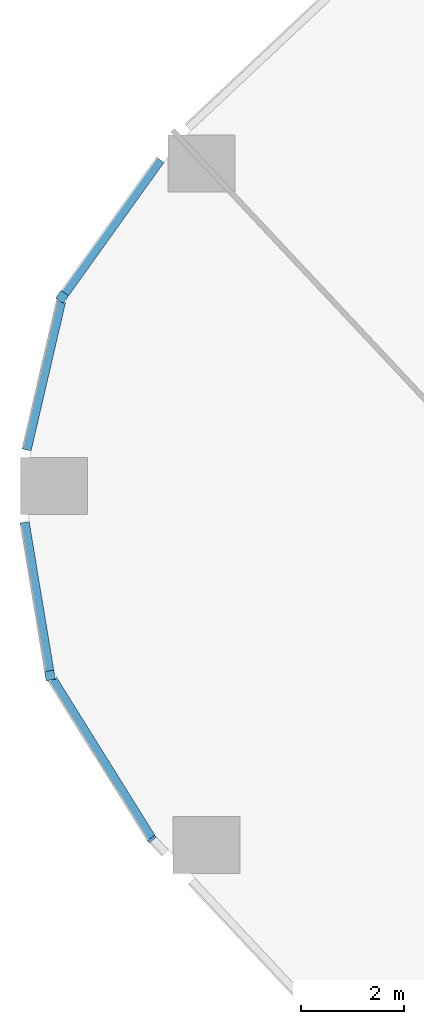
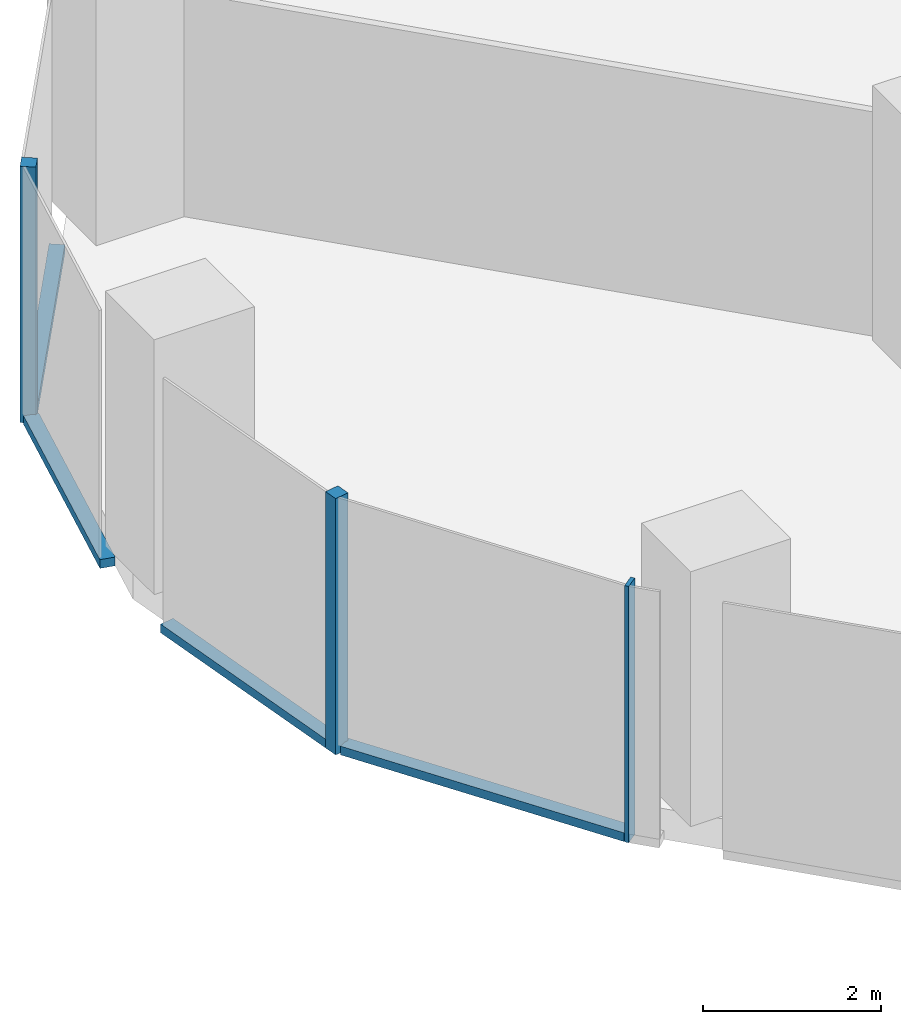
# One storey, part 3 of 33: 7 members, 4 elements without a shape of their own.
"""IFC4 building model written with IfcOpenShell, lengths in metres."""

from ifc_helpers import new_model, si_unit, direction, frame, origin, origin_2d, place, context, subcontext, project, spatial, rectangle, extrude, material, material_profile, profile_set, type_object, element, aggregate, save


model = new_model("IFC4")

# Units and contexts
model_context = context("Model", 3, precision=1e-05, world=origin(), true_north=direction((0.0, 1.0)))
body_context = subcontext(model_context, "Body", "Model", "MODEL_VIEW")
ifc_project = project(units=[si_unit("LENGTHUNIT", "METRE"), si_unit("AREAUNIT", "SQUARE_METRE"), si_unit("VOLUMEUNIT", "CUBIC_METRE"), si_unit("PLANEANGLEUNIT", "RADIAN"), si_unit("MASSUNIT", "GRAM", prefix="KILO")], contexts=[model_context])

# Site, building, storey
site_placement = place(None, origin())
site = spatial("IfcSite", under=ifc_project, at=site_placement, CompositionType="ELEMENT")
building_placement = place(site_placement, origin())
building = spatial("IfcBuilding", under=site, at=building_placement, Name="Orlundy Tower", CompositionType="ELEMENT")
storey_placement = place(building_placement, frame((0.0, 0.0, 51.300048828125)))
storey = spatial("IfcBuildingStorey", under=building, at=storey_placement, Name="L11", CompositionType="ELEMENT", Elevation=51.300048828125)

# Curtain wall, member
ifc_material_1 = material(Name="Aluminium bronze anodised", Category="aluminium")
curtain_wall_type = type_object("IfcCurtainWallType", Name="CW1 wall", PredefinedType="NOTDEFINED", material=ifc_material_1)
curtain_wall_1_placement = place(storey_placement, origin())
curtain_wall_1 = element("IfcCurtainWall", 1, at=curtain_wall_1_placement, inside=storey, type_object=curtain_wall_type, Name="CW1 run 025", PredefinedType="NOTDEFINED")
ifc_material_2 = material(Name="Aluminium bronze anodised", Category="aluminium")
ifc_material_profile_1 = material_profile(ifc_material_2, rectangle(XDim=0.179931640625, YDim=0.179931640625, at=origin_2d()), Name="CW1 corner post 180x180")
ifc_profile_set_1 = profile_set([ifc_material_profile_1], Name="Aluminium bronze anodised")
member_type_1 = type_object("IfcMemberType", Name="CW1 corner post 180x180", PredefinedType="MULLION", material=ifc_profile_set_1)
member_1_placement = place(storey_placement, frame((-53.35595703125, -30.617431640625, -0.420166015625), z_axis=(0.0, 0.0, 1.0), x_axis=(-0.986546608379, -0.163480241914, 0.0)))
member_1 = element("IfcMember", 2, at=member_1_placement, type_object=member_type_1, Name="CW1 mullion 66", PredefinedType="MULLION", context=body_context, shape_type="SweptSolid", body=[
    extrude(rectangle(XDim=0.179931640625, YDim=0.179931640625, at=origin_2d()), origin(), (0.0, 0.0, 1.0), 3.52001953125),
])

curtain_wall_2_placement = place(storey_placement, origin())
curtain_wall_2 = element("IfcCurtainWall", 3, at=curtain_wall_2_placement, inside=storey, type_object=curtain_wall_type, Name="CW1 run 027", PredefinedType="NOTDEFINED")
member_2_placement = place(storey_placement, frame((-53.12060546875, -23.279296875, -0.420166015625), z_axis=(0.0, 0.0, 1.0), x_axis=(-0.813204454711, 0.58197810512, 0.0)))
member_2 = element("IfcMember", 4, at=member_2_placement, type_object=member_type_1, Name="CW1 mullion 68", PredefinedType="MULLION", context=body_context, shape_type="SweptSolid", body=[
    extrude(rectangle(XDim=0.179931640625, YDim=0.179931640625, at=origin_2d()), origin(), (0.0, 0.0, 1.0), 3.52001953125),
])

# Curtain wall, members
curtain_wall_3_placement = place(storey_placement, origin())
curtain_wall_3 = element("IfcCurtainWall", 5, at=curtain_wall_3_placement, inside=storey, type_object=curtain_wall_type, Name="CW1 run 024", PredefinedType="NOTDEFINED")
ifc_material_3 = material(Name="Aluminium bronze anodised", Category="aluminium")
ifc_material_profile_2 = material_profile(ifc_material_3, rectangle(XDim=0.179931640625, YDim=0.050048828125, at=origin_2d()), Name="CW1 mullion 50x180")
ifc_profile_set_2 = profile_set([ifc_material_profile_2], Name="Aluminium bronze anodised")
member_type_2 = type_object("IfcMemberType", Name="CW1 mullion 50x180", PredefinedType="MULLION", material=ifc_profile_set_2)
member_3_placement = place(storey_placement, frame((-51.381591796875, -33.7861328125, -0.420166015625), z_axis=(0.0, 0.0, 1.0), x_axis=(-0.792872838919, -0.609387119412, 0.0)))
member_3 = element("IfcMember", 6, at=member_3_placement, type_object=member_type_2, Name="CW1 mullion 65", PredefinedType="MULLION", context=body_context, shape_type="SweptSolid", body=[
    extrude(rectangle(XDim=0.179931640625, YDim=0.050048828125, at=origin_2d()), origin(), (0.0, 0.0, 1.0), 3.52001953125),
])
ifc_material_4 = material(Name="Aluminium bronze anodised", Category="aluminium")
ifc_material_profile_3 = material_profile(ifc_material_4, rectangle(XDim=0.179931640625, YDim=0.1201171875, at=origin_2d()), Name="CW1 transom 180x120")
ifc_profile_set_3 = profile_set([ifc_material_profile_3], Name="Aluminium bronze anodised")
member_type_3 = type_object("IfcMemberType", Name="CW1 transom 180x120", PredefinedType="USERDEFINED", material=ifc_profile_set_3)
member_4_placement = place(storey_placement, frame((-51.39501953125, -33.764892578125, -0.360107421875), z_axis=(-0.528801130179, 0.848745759767, 0.0), x_axis=(-0.848745759767, -0.528801130179, 0.0)))
member_4 = element("IfcMember", 7, at=member_4_placement, type_object=member_type_3, Name="CW1 transom", ObjectType="TRANSOM", PredefinedType="USERDEFINED", context=body_context, shape_type="SweptSolid", body=[
    extrude(rectangle(XDim=0.179931640625, YDim=0.1201171875, at=origin_2d()), origin(), (0.0, 0.0, 1.0), 3.61083984375),
])
aggregate(curtain_wall_3, [member_3, member_4])

# Member
member_5_placement = place(storey_placement, frame((-53.37060546875, -30.528564453125, -0.360107421875), z_axis=(-0.163490786089, 0.98654486105, 0.0), x_axis=(-0.98654486105, -0.163490786089, 0.0)))
member_5 = element("IfcMember", 8, at=member_5_placement, type_object=member_type_3, Name="CW1 transom", ObjectType="TRANSOM", PredefinedType="USERDEFINED", context=body_context, shape_type="SweptSolid", body=[
    extrude(rectangle(XDim=0.179931640625, YDim=0.1201171875, at=origin_2d()), origin(), (0.0, 0.0, 1.0), 2.9208984375),
])

aggregate(curtain_wall_1, [member_1, member_5])

# Curtain wall, member
curtain_wall_4_placement = place(storey_placement, origin())
curtain_wall_4 = element("IfcCurtainWall", 9, at=curtain_wall_4_placement, inside=storey, type_object=curtain_wall_type, Name="CW1 run 026", PredefinedType="NOTDEFINED")
member_6_placement = place(storey_placement, frame((-53.81005859375, -26.2470703125, -0.360107421875), z_axis=(0.226298002237, 0.97405811643, 0.0), x_axis=(-0.97405811643, 0.226298002237, 0.0)))
member_6 = element("IfcMember", 10, at=member_6_placement, type_object=member_type_3, Name="CW1 transom", ObjectType="TRANSOM", PredefinedType="USERDEFINED", context=body_context, shape_type="SweptSolid", body=[
    extrude(rectangle(XDim=0.179931640625, YDim=0.1201171875, at=origin_2d()), origin(), (0.0, 0.0, 1.0), 2.949462890625),
])
aggregate(curtain_wall_4, [member_6])

# Member
member_7_placement = place(storey_placement, frame((-53.068115234375, -23.2060546875, -0.360107421875), z_axis=(0.581943728073, 0.813229055898, 0.0), x_axis=(-0.813229055898, 0.581943728073, 0.0)))
member_7 = element("IfcMember", 11, at=member_7_placement, type_object=member_type_3, Name="CW1 transom", ObjectType="TRANSOM", PredefinedType="USERDEFINED", context=body_context, shape_type="SweptSolid", body=[
    extrude(rectangle(XDim=0.179931640625, YDim=0.1201171875, at=origin_2d()), origin(), (0.0, 0.0, 1.0), 3.174072265625),
])

aggregate(curtain_wall_2, [member_2, member_7])

save(model, "model.ifc")
